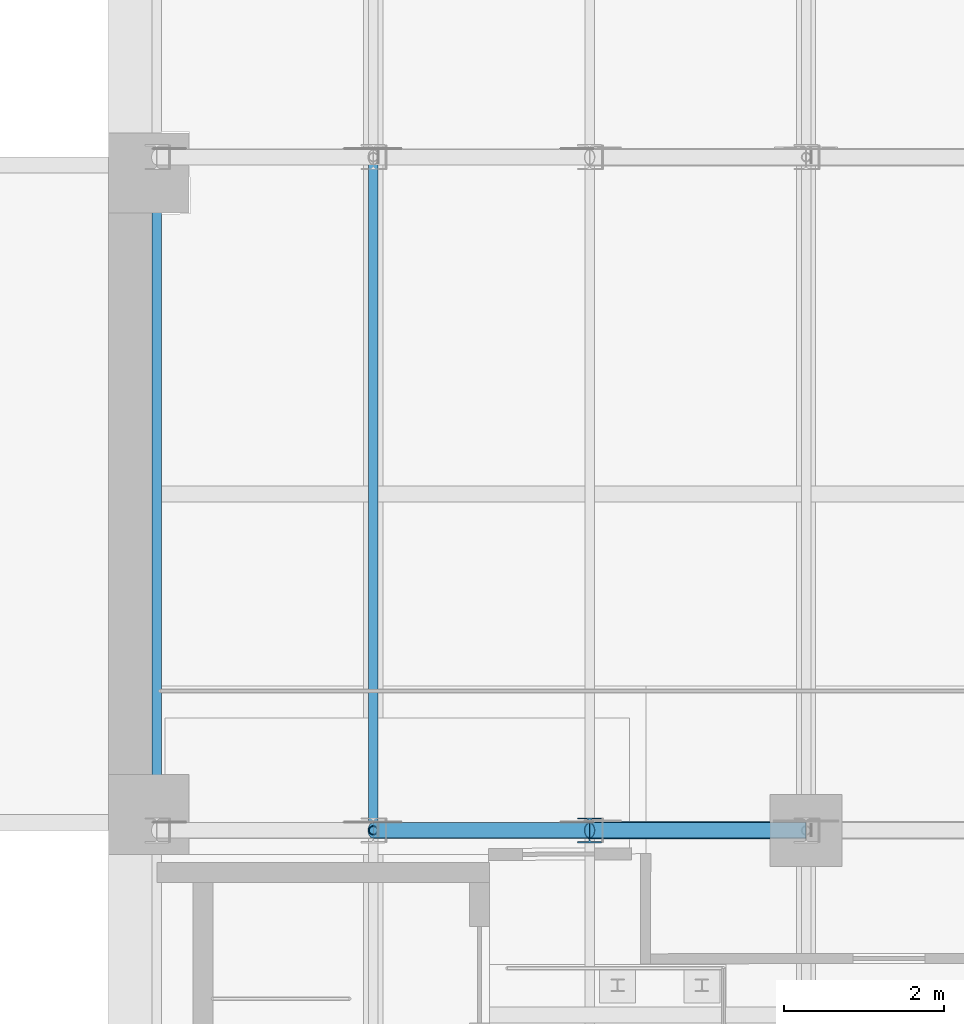
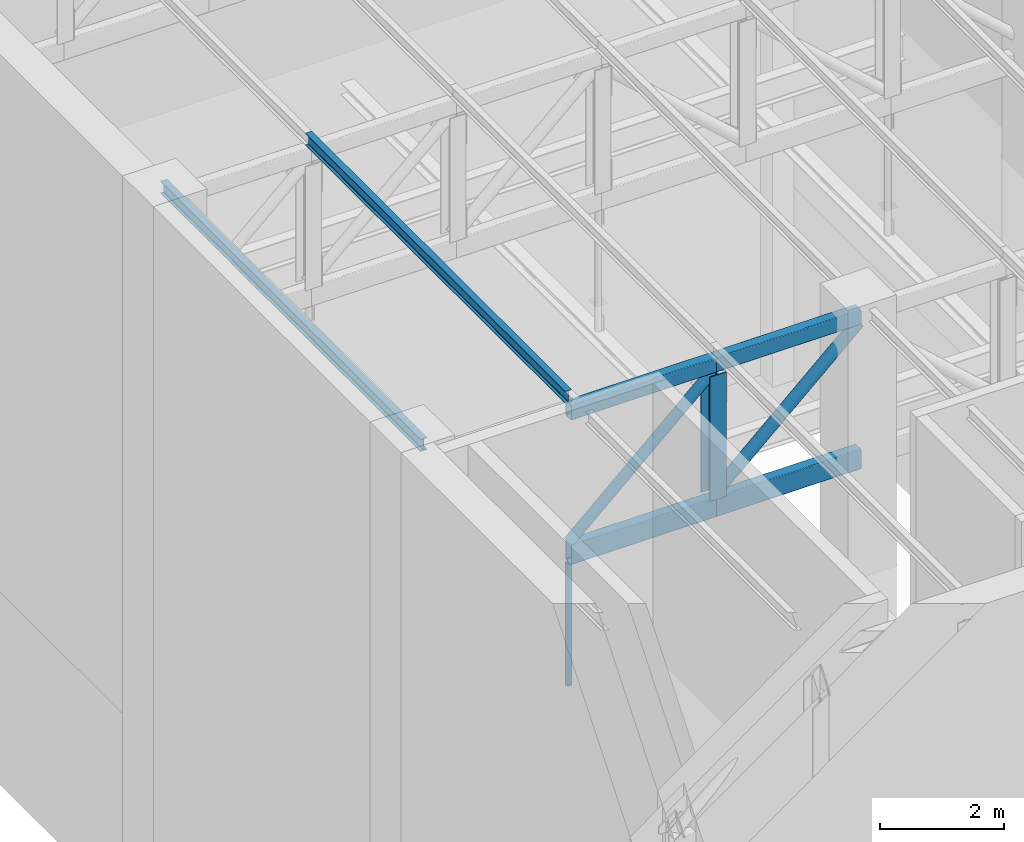
# One storey, part 3 of 68: 6 members, 4 beams.
"""IFC4 building model written with IfcOpenShell, lengths in metres."""

from ifc_helpers import new_model, si_unit, direction, frame, origin, origin_2d, place, context, subcontext, project, spatial, hollow_rectangle, hollow_circle, i_section, extrude, material, material_profile, profile_set, type_object, element, save


model = new_model("IFC4")

# Units and contexts
model_context = context("Model", 3, precision=1e-05, world=origin(), true_north=direction((0.0, 1.0)))
body_context = subcontext(model_context, "Body", "Model", "MODEL_VIEW")
ifc_project = project(units=[si_unit("LENGTHUNIT", "METRE"), si_unit("AREAUNIT", "SQUARE_METRE"), si_unit("VOLUMEUNIT", "CUBIC_METRE"), si_unit("PLANEANGLEUNIT", "RADIAN"), si_unit("MASSUNIT", "GRAM", prefix="KILO")], contexts=[model_context])

# Site, building, storey
site_placement = place(None, origin())
site = spatial("IfcSite", under=ifc_project, at=site_placement, CompositionType="ELEMENT")
building_placement = place(site_placement, origin())
building = spatial("IfcBuilding", under=site, at=building_placement, Name="Larchfold Concert Hall", CompositionType="ELEMENT")
storey_placement = place(building_placement, frame((0.0, 0.0, 28.800048828125)))
storey = spatial("IfcBuildingStorey", under=building, at=storey_placement, Name="L06", CompositionType="ELEMENT", Elevation=28.800048828125)

# Members
ifc_material_1 = material(Name="Steel S355J2H", Category="steel")
ifc_material_profile_1 = material_profile(ifc_material_1, hollow_circle(Radius=0.05712890625, WallThickness=0.00634765625, at=origin_2d()))
ifc_profile_set_1 = profile_set([ifc_material_profile_1], Name="Steel S355J2H")
member_type_1 = type_object("IfcMemberType", Name="Hanger CHS 114.3x6.3", PredefinedType="BRACE", material=ifc_profile_set_1)
member_1_placement = place(storey_placement, frame((37.199951171875, 42.60009765625, 8.5), z_axis=(0.0, 0.0, 1.0), x_axis=(1.0, 0.0, 0.0)))
element("IfcMember", 1, at=member_1_placement, inside=storey, type_object=member_type_1, Name="Member SG3742", PredefinedType="BRACE", context=body_context, shape_type="SweptSolid", body=[
    extrude(hollow_circle(Radius=0.05712890625, WallThickness=0.00634765625, at=origin_2d()), origin(), (0.0, 0.0, 1.0), 2.39990234375),
])
ifc_material_2 = material(Name="Steel S355", Category="steel")
ifc_material_profile_2 = material_profile(ifc_material_2, i_section(OverallWidth=0.1201171875, OverallDepth=0.239990234375, WebThickness=0.006103515625, FlangeThickness=0.009765625, FilletRadius=0.014892578125, at=origin_2d()))
ifc_profile_set_2 = profile_set([ifc_material_profile_2], Name="Steel S355")
member_type_2 = type_object("IfcMemberType", Name="Purlin IPE 240", PredefinedType="PURLIN", material=ifc_profile_set_2)
for number, where, z_axis, x_axis, name in (
    (2, (34.5, 42.60009765625, 14.169921875), (0.0, 1.0, 0.0), (-1.0, 0.0, 0.0), "Member SP08"),
    (3, (37.199951171875, 42.60009765625, 14.169921875), (0.0, 1.0, 0.0), (-1.0, 0.0, 0.0), "Member SP09"),
):
    element("IfcMember", number, at=place(storey_placement, frame(where, z_axis=z_axis, x_axis=x_axis)), inside=storey, type_object=member_type_2, Name=name, PredefinedType="PURLIN", context=body_context, shape_type="SweptSolid", body=[
        extrude(i_section(OverallWidth=0.1201171875, OverallDepth=0.239990234375, WebThickness=0.006103515625, FlangeThickness=0.009765625, FilletRadius=0.014892578125, at=origin_2d()), origin(), (0.0, 0.0, 1.0), 8.39990234375),
    ])

# Beams
ifc_material_3 = material(Name="Steel S355J2H", Category="steel")
ifc_material_profile_3 = material_profile(ifc_material_3, hollow_rectangle(XDim=0.199951171875, YDim=0.300048828125, WallThickness=0.012451171875, InnerFilletRadius=0.018798828125, OuterFilletRadius=0.03125, at=origin_2d()))
ifc_profile_set_3 = profile_set([ifc_material_profile_3], Name="Steel S355J2H")
beam_type_1 = type_object("IfcBeamType", Name="Truss chord RHS 300x200x12.5", PredefinedType="BEAM", material=ifc_profile_set_3)
beam_1_placement = place(storey_placement, frame((37.199951171875, 42.60009765625, 13.89990234375), z_axis=(1.0, 0.0, 0.0), x_axis=(0.0, 1.0, 0.0)))
element("IfcBeam", 4, at=beam_1_placement, inside=storey, type_object=beam_type_1, Name="Beam SR2T02", PredefinedType="BEAM", context=body_context, shape_type="SweptSolid", body=[
    extrude(hollow_rectangle(XDim=0.199951171875, YDim=0.300048828125, WallThickness=0.012451171875, InnerFilletRadius=0.018798828125, OuterFilletRadius=0.03125, at=origin_2d()), origin(), (0.0, 0.0, 1.0), 2.699951171875),
])
beam_2_placement = place(storey_placement, frame((39.89990234375, 42.60009765625, 13.89990234375), z_axis=(1.0, 0.0, 0.0), x_axis=(0.0, 1.0, 0.0)))
element("IfcBeam", 5, at=beam_2_placement, inside=storey, type_object=beam_type_1, Name="Beam SR2T03", PredefinedType="BEAM", context=body_context, shape_type="SweptSolid", body=[
    extrude(hollow_rectangle(XDim=0.199951171875, YDim=0.300048828125, WallThickness=0.012451171875, InnerFilletRadius=0.018798828125, OuterFilletRadius=0.03125, at=origin_2d()), origin(), (0.0, 0.0, 1.0), 2.7001953125),
])
ifc_material_4 = material(Name="Steel S355J2H", Category="steel")
ifc_material_profile_4 = material_profile(ifc_material_4, hollow_rectangle(XDim=0.199951171875, YDim=0.39990234375, WallThickness=0.012451171875, InnerFilletRadius=0.018798828125, OuterFilletRadius=0.03125, at=origin_2d()))
ifc_profile_set_4 = profile_set([ifc_material_profile_4], Name="Steel S355J2H")
beam_type_2 = type_object("IfcBeamType", Name="Truss chord RHS 400x200x12.5", PredefinedType="BEAM", material=ifc_profile_set_4)
beam_3_placement = place(storey_placement, frame((37.199951171875, 42.60009765625, 11.099853515625), z_axis=(1.0, 0.0, 0.0), x_axis=(0.0, 1.0, 0.0)))
element("IfcBeam", 6, at=beam_3_placement, inside=storey, type_object=beam_type_2, Name="Beam SR2B02", PredefinedType="BEAM", context=body_context, shape_type="SweptSolid", body=[
    extrude(hollow_rectangle(XDim=0.199951171875, YDim=0.39990234375, WallThickness=0.012451171875, InnerFilletRadius=0.018798828125, OuterFilletRadius=0.03125, at=origin_2d()), origin(), (0.0, 0.0, 1.0), 2.699951171875),
])
beam_4_placement = place(storey_placement, frame((39.89990234375, 42.60009765625, 11.099853515625), z_axis=(1.0, 0.0, 0.0), x_axis=(0.0, 1.0, 0.0)))
element("IfcBeam", 7, at=beam_4_placement, inside=storey, type_object=beam_type_2, Name="Beam SR2B03", PredefinedType="BEAM", context=body_context, shape_type="SweptSolid", body=[
    extrude(hollow_rectangle(XDim=0.199951171875, YDim=0.39990234375, WallThickness=0.012451171875, InnerFilletRadius=0.018798828125, OuterFilletRadius=0.03125, at=origin_2d()), origin(), (0.0, 0.0, 1.0), 2.7001953125),
])

# Members
ifc_material_5 = material(Name="Steel S355", Category="steel")
ifc_material_profile_5 = material_profile(ifc_material_5, i_section(OverallWidth=0.300048828125, OverallDepth=0.31005859375, WebThickness=0.009033203125, FlangeThickness=0.015380859375, FilletRadius=0.027099609375, at=origin_2d()))
ifc_profile_set_5 = profile_set([ifc_material_profile_5], Name="Steel S355")
member_type_3 = type_object("IfcMemberType", Name="Truss post HEA 320", PredefinedType="POST", material=ifc_profile_set_5)
member_2_placement = place(storey_placement, frame((39.89990234375, 42.60009765625, 11.300048828125), z_axis=(0.0, 0.0, 1.0), x_axis=(1.0, 0.0, 0.0)))
element("IfcMember", 8, at=member_2_placement, inside=storey, type_object=member_type_3, Name="Member SR2V03", PredefinedType="POST", context=body_context, shape_type="SweptSolid", body=[
    extrude(i_section(OverallWidth=0.300048828125, OverallDepth=0.31005859375, WebThickness=0.009033203125, FlangeThickness=0.015380859375, FilletRadius=0.027099609375, at=origin_2d()), origin(), (0.0, 0.0, 1.0), 2.449951171875),
])
ifc_material_6 = material(Name="Steel S355J2H", Category="steel")
ifc_material_profile_6 = material_profile(ifc_material_6, hollow_circle(Radius=0.096923828125, WallThickness=0.008056640625, at=origin_2d()))
ifc_profile_set_6 = profile_set([ifc_material_profile_6], Name="Steel S355J2H")
member_type_4 = type_object("IfcMemberType", Name="Truss web CHS 193.7x8", PredefinedType="BRACE", material=ifc_profile_set_6)
member_3_placement = place(storey_placement, frame((37.199951171875, 42.60009765625, 11.300048828125), z_axis=(0.740560922263, 0.0, 0.671989226414), x_axis=(0.0, 1.0, 0.0)))
element("IfcMember", 9, at=member_3_placement, inside=storey, type_object=member_type_4, Name="Member SR2D02", PredefinedType="BRACE", context=body_context, shape_type="SweptSolid", body=[
    extrude(hollow_circle(Radius=0.096923828125, WallThickness=0.008056640625, at=origin_2d()), origin(), (0.0, 0.0, 1.0), 3.645751953125),
])
ifc_material_7 = material(Name="Steel S355J2H", Category="steel")
ifc_material_profile_7 = material_profile(ifc_material_7, hollow_circle(Radius=0.109619140625, WallThickness=0.010009765625, at=origin_2d()))
ifc_profile_set_7 = profile_set([ifc_material_profile_7], Name="Steel S355J2H")
member_type_5 = type_object("IfcMemberType", Name="Truss web CHS 219.1x10", PredefinedType="BRACE", material=ifc_profile_set_7)
member_4_placement = place(storey_placement, frame((39.89990234375, 42.60009765625, 11.300048828125), z_axis=(0.740591159162, 0.0, 0.671955902549), x_axis=(0.0, 1.0, 0.0)))
element("IfcMember", 10, at=member_4_placement, inside=storey, type_object=member_type_5, Name="Member SR2D03", PredefinedType="BRACE", context=body_context, shape_type="SweptSolid", body=[
    extrude(hollow_circle(Radius=0.109619140625, WallThickness=0.010009765625, at=origin_2d()), origin(), (0.0, 0.0, 1.0), 3.64599609375),
])

save(model, "model.ifc")
